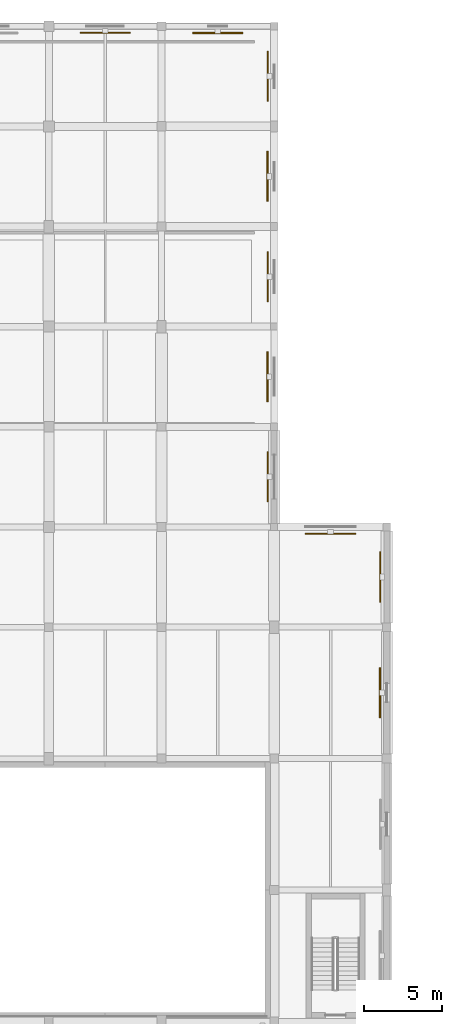
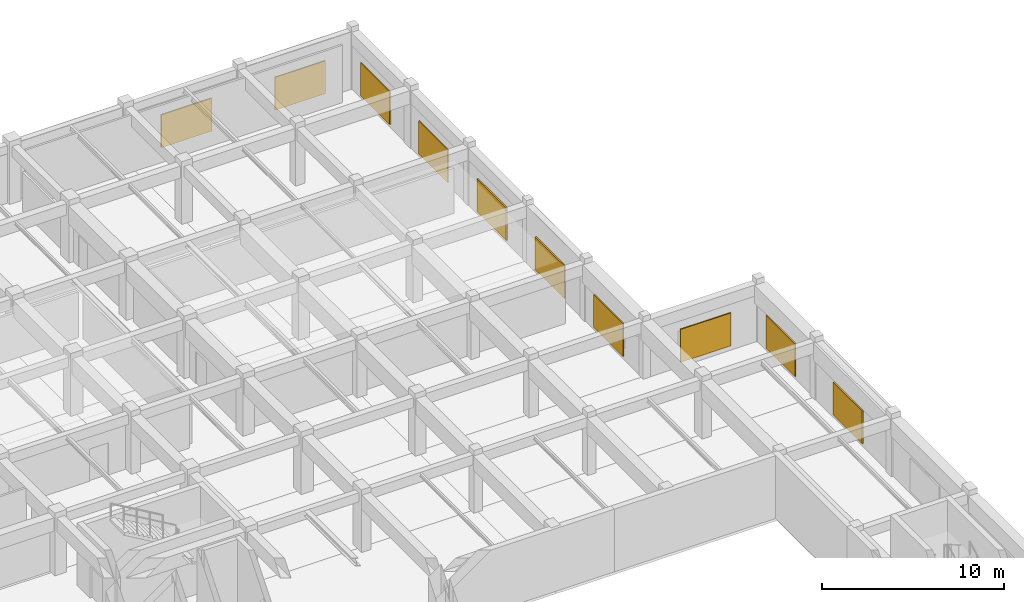
# One storey, part 71 of 71: 10 shading devices.
"""IFC4 building model written with IfcOpenShell, lengths in metres."""

from ifc_helpers import new_model, si_unit, direction, frame, origin, origin_2d, place, context, subcontext, project, spatial, rectangle, extrude, material, layer, layer_set, type_object, element, save


model = new_model("IFC4")

# Units and contexts
model_context = context("Model", 3, precision=1e-05, world=origin(), true_north=direction((0.0, 1.0)))
body_context = subcontext(model_context, "Body", "Model", "MODEL_VIEW")
ifc_project = project(units=[si_unit("LENGTHUNIT", "METRE"), si_unit("AREAUNIT", "SQUARE_METRE"), si_unit("VOLUMEUNIT", "CUBIC_METRE"), si_unit("PLANEANGLEUNIT", "RADIAN"), si_unit("MASSUNIT", "GRAM", prefix="KILO")], contexts=[model_context])

# Site, building, storey
site_placement = place(None, origin())
site = spatial("IfcSite", under=ifc_project, at=site_placement, CompositionType="ELEMENT")
building_placement = place(site_placement, origin())
building = spatial("IfcBuilding", under=site, at=building_placement, Name="Korsvaeld Concert Hall", CompositionType="ELEMENT")
storey_placement = place(building_placement, frame((0.0, 0.0, 4.800048828125)))
storey = spatial("IfcBuildingStorey", under=building, at=storey_placement, Name="L01", CompositionType="ELEMENT", Elevation=4.800048828125)

# Shading devices
ifc_material = material(Name="Anodised architectural bronze pierced jali screen")
ifc_layer = layer(ifc_material, 0.080078125)
ifc_layer_set = layer_set([ifc_layer], Name="Anodised architectural bronze pierced jali screen")
shading_device_type = type_object("IfcShadingDeviceType", Name="SHD-JALI-BRONZE", PredefinedType="JALOUSIE", material=ifc_layer_set)
for number, where, z_axis, x_axis, name in (
    (1, (135.60009765625, 114.784912109375, 0.5), (0.0, 0.0, 1.0), (1.0, 0.0, 0.0), "Bronze pierced jali brise-soleil screen L01-31"),
    (2, (142.800048828125, 114.77001953125, 0.5), (0.0, 0.0, 1.0), (1.0, 0.0, 0.0), "Bronze pierced jali brise-soleil screen L01-32"),
    (3, (145.985107421875, 112.0, 0.5), (0.0, 0.0, 1.0), (0.0, -1.0, 0.0), "Bronze pierced jali brise-soleil screen L01-33"),
    (4, (145.969970703125, 105.60009765625, 0.5), (0.0, 0.0, 1.0), (0.0, -1.0, 0.0), "Bronze pierced jali brise-soleil screen L01-34"),
    (5, (145.985107421875, 99.199951171875, 0.5), (0.0, 0.0, 1.0), (0.0, -1.0, 0.0), "Bronze pierced jali brise-soleil screen L01-35"),
    (6, (145.969970703125, 92.800048828125, 0.5), (0.0, 0.0, 1.0), (0.0, -1.0, 0.0), "Bronze pierced jali brise-soleil screen L01-36"),
    (7, (145.985107421875, 86.39990234375, 0.5), (0.0, 0.0, 1.0), (0.0, -1.0, 0.0), "Bronze pierced jali brise-soleil screen L01-37"),
    (8, (150.0, 82.77001953125, 0.5), (0.0, 0.0, 1.0), (1.0, 0.0, 0.0), "Bronze pierced jali brise-soleil screen L01-38"),
    (9, (153.18505859375, 80.0, 0.5), (0.0, 0.0, 1.0), (0.0, -1.0, 0.0), "Bronze pierced jali brise-soleil screen L01-39"),
    (10, (153.169921875, 72.60009765625, 0.5), (0.0, 0.0, 1.0), (0.0, -1.0, 0.0), "Bronze pierced jali brise-soleil screen L01-40"),
):
    element("IfcShadingDevice", number, at=place(storey_placement, frame(where, z_axis=z_axis, x_axis=x_axis)), inside=storey, type_object=shading_device_type, Name=name, PredefinedType="JALOUSIE", context=body_context, shape_type="SweptSolid", body=[
        extrude(rectangle(XDim=3.199951171875, YDim=0.080078125, at=origin_2d()), origin(), (0.0, 0.0, 1.0), 2.199951171875),
    ])

save(model, "model.ifc")
